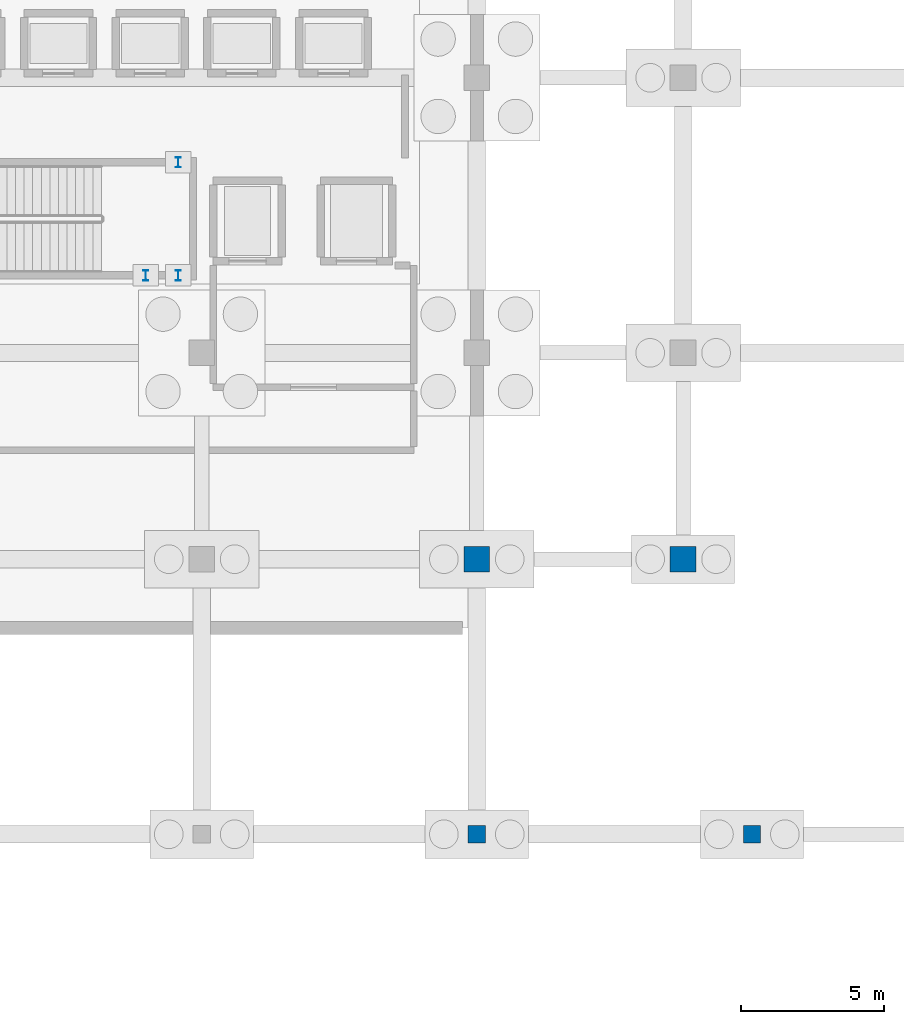
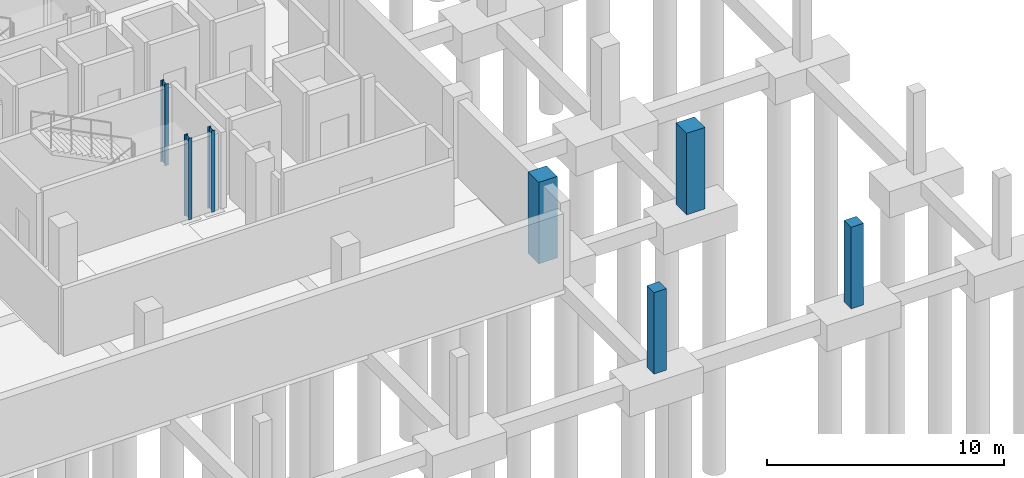
# One storey, part 29 of 54: 7 columns.
"""IFC4 building model written with IfcOpenShell, lengths in metres."""

from ifc_helpers import new_model, si_unit, direction, frame, origin, origin_2d, place, context, subcontext, project, spatial, rectangle, i_section, extrude, material, material_profile, profile_set, type_object, element, save


model = new_model("IFC4")

# Units and contexts
model_context = context("Model", 3, precision=1e-05, world=origin(), true_north=direction((0.0, 1.0)))
body_context = subcontext(model_context, "Body", "Model", "MODEL_VIEW")
ifc_project = project(units=[si_unit("LENGTHUNIT", "METRE"), si_unit("AREAUNIT", "SQUARE_METRE"), si_unit("VOLUMEUNIT", "CUBIC_METRE"), si_unit("PLANEANGLEUNIT", "RADIAN"), si_unit("MASSUNIT", "GRAM", prefix="KILO")], contexts=[model_context])

# Site, building, storey
site_placement = place(None, origin())
site = spatial("IfcSite", under=ifc_project, at=site_placement, CompositionType="ELEMENT")
building_placement = place(site_placement, origin())
building = spatial("IfcBuilding", under=site, at=building_placement, Name="Zevrakil Square Congress Hotel", CompositionType="ELEMENT")
storey_placement = place(building_placement, frame((0.0, 0.0, -8.39990234375)))
storey = spatial("IfcBuildingStorey", under=building, at=storey_placement, Name="B2", CompositionType="ELEMENT", Elevation=-8.39990234375)

# Columns
ifc_material_1 = material(Name="Steel S355", Category="steel")
ifc_material_profile_1 = material_profile(ifc_material_1, i_section(OverallWidth=0.169921875, OverallDepth=0.360107421875, WebThickness=0.008056640625, FlangeThickness=0.0126953125, FilletRadius=0.01806640625, at=origin_2d()), Name="IPE 360")
ifc_profile_set_1 = profile_set([ifc_material_profile_1], Name="Steel S355")
column_type_1 = type_object("IfcColumnType", Name="COL-PILASTER-SHS180", PredefinedType="PILASTER", material=ifc_profile_set_1)
for number, where, z_axis, x_axis, name in (
    (1, (144.449951171875, 19.5, 0.0), (0.0, 0.0, 1.0), (1.0, 0.0, 0.0), "B2 ST01 stair shaft post 1"),
    (2, (145.580078125, 19.5, 0.0), (0.0, 0.0, 1.0), (1.0, 0.0, 0.0), "B2 ST01 stair shaft post 2"),
    (3, (145.580078125, 23.449951171875, 0.0), (0.0, 0.0, 1.0), (1.0, 0.0, 0.0), "B2 ST01 stair shaft post 3"),
):
    element("IfcColumn", number, at=place(storey_placement, frame(where, z_axis=z_axis, x_axis=x_axis)), inside=storey, type_object=column_type_1, Name=name, PredefinedType="PILASTER", context=body_context, shape_type="SweptSolid", body=[
        extrude(i_section(OverallWidth=0.169921875, OverallDepth=0.360107421875, WebThickness=0.008056640625, FlangeThickness=0.0126953125, FilletRadius=0.01806640625, at=origin_2d()), origin(), (0.0, 0.0, 1.0), 4.199951171875),
    ])
ifc_material_2 = material(Name="Concrete C40/50", Category="concrete")
ifc_material_profile_2 = material_profile(ifc_material_2, rectangle(XDim=0.60009765625, YDim=0.60009765625, at=origin_2d()), Name="RC 600x600")
ifc_profile_set_2 = profile_set([ifc_material_profile_2], Name="Concrete C40/50")
column_type_2 = type_object("IfcColumnType", Name="COL-RC600", PredefinedType="COLUMN", material=ifc_profile_set_2)
for number, where, z_axis, x_axis, name in (
    (4, (156.0, 0.0, 0.0), (0.0, 0.0, 1.0), (1.0, 0.0, 0.0), "B2 column C-220"),
    (5, (165.60009765625, 0.0, 0.0), (0.0, 0.0, 1.0), (1.0, 0.0, 0.0), "B2 column C-234"),
):
    element("IfcColumn", number, at=place(storey_placement, frame(where, z_axis=z_axis, x_axis=x_axis)), inside=storey, type_object=column_type_2, Name=name, PredefinedType="COLUMN", context=body_context, shape_type="SweptSolid", body=[
        extrude(rectangle(XDim=0.60009765625, YDim=0.60009765625, at=origin_2d()), origin(), (0.0, 0.0, 1.0), 4.199951171875),
    ])
ifc_material_3 = material(Name="Concrete C40/50", Category="concrete")
ifc_material_profile_3 = material_profile(ifc_material_3, rectangle(XDim=0.89990234375, YDim=0.89990234375, at=origin_2d()), Name="RC 900x900")
ifc_profile_set_3 = profile_set([ifc_material_profile_3], Name="Concrete C40/50")
column_type_3 = type_object("IfcColumnType", Name="COL-RC900", PredefinedType="COLUMN", material=ifc_profile_set_3)
for number, where, z_axis, x_axis, name in (
    (6, (156.0, 9.60009765625, 0.0), (0.0, 0.0, 1.0), (1.0, 0.0, 0.0), "B2 column C-221"),
    (7, (163.199951171875, 9.60009765625, 0.0), (0.0, 0.0, 1.0), (1.0, 0.0, 0.0), "B2 column C-229"),
):
    element("IfcColumn", number, at=place(storey_placement, frame(where, z_axis=z_axis, x_axis=x_axis)), inside=storey, type_object=column_type_3, Name=name, PredefinedType="COLUMN", context=body_context, shape_type="SweptSolid", body=[
        extrude(rectangle(XDim=0.89990234375, YDim=0.89990234375, at=origin_2d()), origin(), (0.0, 0.0, 1.0), 4.199951171875),
    ])

save(model, "model.ifc")
